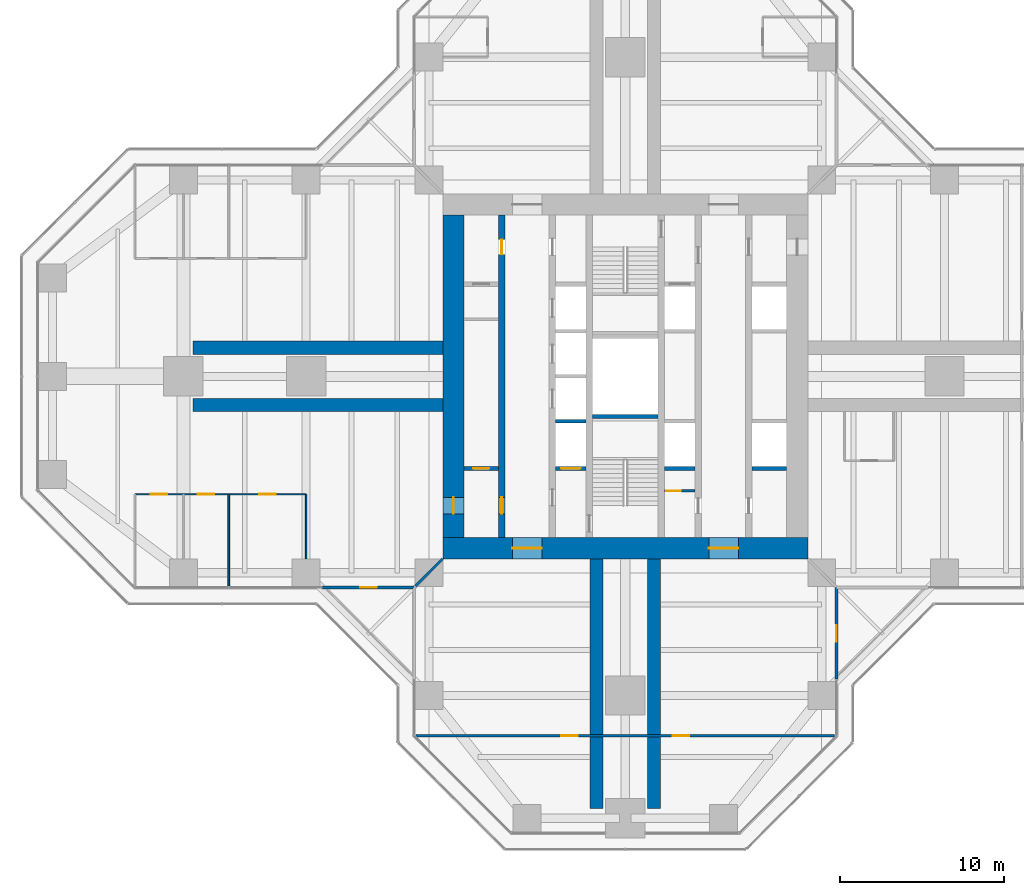
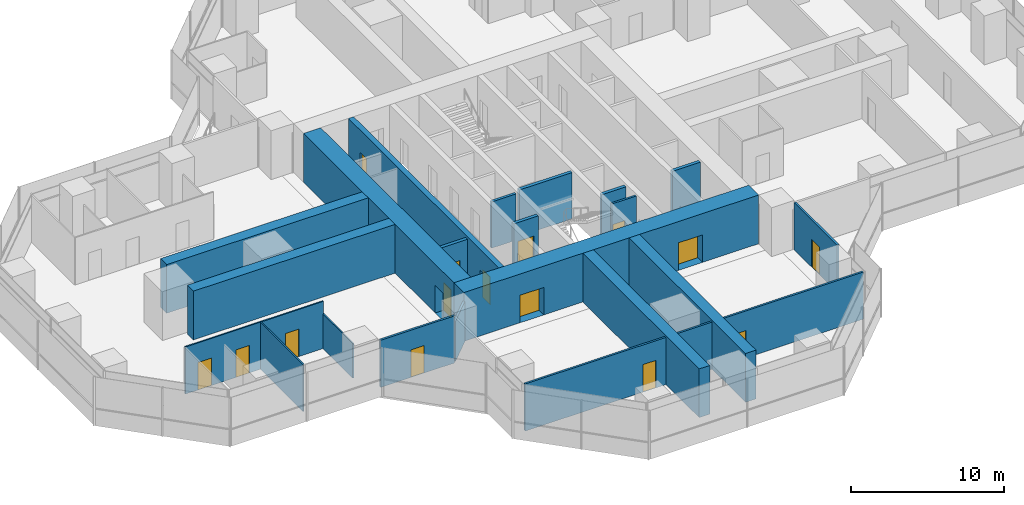
# One storey, part 15 of 20: 21 walls, 15 doors, 15 openings.
"""IFC4 building model written with IfcOpenShell, lengths in metres."""

from ifc_helpers import new_model, si_unit, direction, frame, frame_2d, origin, place, context, subcontext, project, spatial, rectangle, extrude, material, layer, layer_set, type_object, element, fill, save


model = new_model("IFC4")

# Units and contexts
model_context = context("Model", 3, precision=1e-05, world=origin(), true_north=direction((0.0, 1.0)))
body_context = subcontext(model_context, "Body", "Model", "MODEL_VIEW")
ifc_project = project(units=[si_unit("LENGTHUNIT", "METRE"), si_unit("AREAUNIT", "SQUARE_METRE"), si_unit("VOLUMEUNIT", "CUBIC_METRE"), si_unit("PLANEANGLEUNIT", "RADIAN"), si_unit("MASSUNIT", "GRAM", prefix="KILO")], contexts=[model_context])

# Site, building, storey
site_placement = place(None, origin())
site = spatial("IfcSite", under=ifc_project, at=site_placement, CompositionType="ELEMENT")
building_placement = place(site_placement, origin())
building = spatial("IfcBuilding", under=site, at=building_placement, Name="Mizan Broadcast Tower", CompositionType="ELEMENT")
storey_placement = place(building_placement, frame((0.0, 0.0, 174.89990234375)))
storey = spatial("IfcBuildingStorey", under=building, at=storey_placement, Name="L40", CompositionType="ELEMENT", Elevation=174.89990234375)

# Wall, openings, doors
ifc_material_1 = material(Name="Concrete C70/85", Category="concrete")
ifc_layer_1 = layer(ifc_material_1, 0.39990234375)
ifc_layer_set_1 = layer_set([ifc_layer_1], Name="Concrete C70/85")
wall_type_1 = type_object("IfcWallType", Name="CORE INTERNAL WALL 400", PredefinedType="SHEAR", material=ifc_layer_set_1)
wall_1_placement = place(storey_placement, frame((-7.550048828125, -9.85009765625, 0.0), z_axis=(0.0, 0.0, 1.0), x_axis=(0.0, 1.0, 0.0)))
wall_1 = element("IfcWall", 1, at=wall_1_placement, inside=storey, type_object=wall_type_1, Name="Core wall CORE/XW1", PredefinedType="SHEAR", context=body_context, shape_type="SweptSolid", body=[
    extrude(rectangle(XDim=19.7001953125, YDim=0.39990234375, at=frame_2d((9.85009765625, 0.0))), origin(), (0.0, 0.0, 1.0), 3.900146484375),
])
opening_1_placement = place(wall_1_placement, frame((1.449951171875, 0.0, 0.0)))
opening_1 = element("IfcOpeningElement", 2, at=opening_1_placement, cuts=wall_1, Name="Opening D10F", PredefinedType="OPENING", context=body_context, shape_type="SweptSolid", body=[
    extrude(rectangle(XDim=1.0, YDim=2.199951171875, at=frame_2d((0.5, 1.10009765625))), frame((0.0, 0.2099609375, 0.0), z_axis=(0.0, -1.0, 0.0), x_axis=(1.0, 0.0, 0.0)), (0.0, 0.0, 1.0), 0.419921875),
])
opening_2_placement = place(wall_1_placement, frame((17.300048828125, 0.0, 0.0)))
opening_2 = element("IfcOpeningElement", 3, at=opening_2_placement, cuts=wall_1, Name="Opening D09", PredefinedType="OPENING", context=body_context, shape_type="SweptSolid", body=[
    extrude(rectangle(XDim=0.89990234375, YDim=2.10009765625, at=frame_2d((0.449951171875, 1.050048828125))), frame((0.0, 0.2099609375, 0.0), z_axis=(0.0, -1.0, 0.0), x_axis=(1.0, 0.0, 0.0)), (0.0, 0.0, 1.0), 0.419921875),
])
ifc_material_2 = material(Name="Steel door leaf in steel frame", Category="steel")
door_type_1 = type_object("IfcDoorType", Name="FIRE DOOR 1000 FD90", OperationType="SINGLE_SWING_LEFT", PredefinedType="DOOR", material=ifc_material_2)
door_1_placement = place(opening_1_placement, origin())
door_1 = element("IfcDoor", 4, at=door_1_placement, inside=storey, type_object=door_type_1, Name="West core passage door", OperationType="SINGLE_SWING_LEFT", OverallHeight=2.199951171875, OverallWidth=1.0, PredefinedType="DOOR", context=body_context, shape_type="SweptSolid", body=[
    extrude(rectangle(XDim=1.0, YDim=2.199951171875, at=frame_2d((0.5, 1.10009765625))), frame((0.0, 0.02490234375, 0.0), z_axis=(0.0, -1.0, 0.0), x_axis=(1.0, 0.0, 0.0)), (0.0, 0.0, 1.0), 0.050048828125),
])
fill(opening_1, door_1)
ifc_material_3 = material(Name="Timber door leaf in aluminium frame", Category="wood")
door_type_2 = type_object("IfcDoorType", Name="TOILET DOOR 900", OperationType="SINGLE_SWING_LEFT", PredefinedType="DOOR", material=ifc_material_3)
door_2_placement = place(opening_2_placement, origin())
door_2 = element("IfcDoor", 5, at=door_2_placement, inside=storey, type_object=door_type_2, Name="Male WC door", OperationType="SINGLE_SWING_RIGHT", OverallHeight=2.10009765625, OverallWidth=0.89990234375, PredefinedType="DOOR", context=body_context, shape_type="SweptSolid", body=[
    extrude(rectangle(XDim=0.89990234375, YDim=2.10009765625, at=frame_2d((0.449951171875, 1.050048828125))), frame((0.0, 0.02490234375, 0.0), z_axis=(0.0, -1.0, 0.0), x_axis=(1.0, 0.0, 0.0)), (0.0, 0.0, 1.0), 0.050048828125),
])
fill(opening_2, door_2)

# Wall, opening, door
ifc_material_4 = material(Name="Concrete blockwork", Category="masonry")
ifc_layer_2 = layer(ifc_material_4, 0.14990234375)
ifc_layer_set_2 = layer_set([ifc_layer_2], Name="Concrete blockwork")
wall_type_2 = type_object("IfcWallType", Name="CORE PARTITION 150", PredefinedType="SOLIDWALL", material=ifc_layer_set_2)
wall_2_placement = place(storey_placement, frame((2.39990234375, -7.0, 0.0), z_axis=(0.0, 0.0, 1.0), x_axis=(1.0, 0.0, 0.0)))
wall_2 = element("IfcWall", 6, at=wall_2_placement, inside=storey, type_object=wall_type_2, Name="Core partition CORE/XPC", PredefinedType="SOLIDWALL", context=body_context, shape_type="SweptSolid", body=[
    extrude(rectangle(XDim=1.85009765625, YDim=0.14990234375, at=frame_2d((0.925048828125, 0.0))), origin(), (0.0, 0.0, 1.0), 3.77001953125),
])
opening_3_placement = place(wall_2_placement, frame((0.10009765625, 0.0, 0.0)))
opening_3 = element("IfcOpeningElement", 7, at=opening_3_placement, cuts=wall_2, Name="Opening D09F", PredefinedType="OPENING", context=body_context, shape_type="SweptSolid", body=[
    extrude(rectangle(XDim=0.89990234375, YDim=2.10009765625, at=frame_2d((0.449951171875, 1.050048828125))), frame((0.0, 0.0849609375, 0.0), z_axis=(0.0, -1.0, 0.0), x_axis=(1.0, 0.0, 0.0)), (0.0, 0.0, 1.0), 0.169921875),
])
ifc_material_5 = material(Name="Steel door leaf in steel frame", Category="steel")
door_type_3 = type_object("IfcDoorType", Name="CORE ROOM DOOR 900 FD90", OperationType="SINGLE_SWING_LEFT", PredefinedType="DOOR", material=ifc_material_5)
door_3_placement = place(opening_3_placement, origin())
door_3 = element("IfcDoor", 8, at=door_3_placement, inside=storey, type_object=door_type_3, Name="Waste store door", OperationType="SINGLE_SWING_LEFT", OverallHeight=2.10009765625, OverallWidth=0.89990234375, PredefinedType="DOOR", context=body_context, shape_type="SweptSolid", body=[
    extrude(rectangle(XDim=0.89990234375, YDim=2.10009765625, at=frame_2d((0.449951171875, 1.050048828125))), frame((0.0, 0.02490234375, 0.0), z_axis=(0.0, -1.0, 0.0), x_axis=(1.0, 0.0, 0.0)), (0.0, 0.0, 1.0), 0.050048828125),
])
fill(opening_3, door_3)

# Wall, openings, doors
ifc_material_6 = material(Name="Concrete C70/85", Category="concrete")
ifc_layer_3 = layer(ifc_material_6, 1.300048828125)
ifc_layer_set_3 = layer_set([ifc_layer_3], Name="Concrete C70/85")
wall_type_3 = type_object("IfcWallType", Name="CORE WALL 1300", PredefinedType="SHEAR", material=ifc_layer_set_3)
wall_3_placement = place(storey_placement, frame((11.14990234375, -10.5, 0.0), z_axis=(0.0, 0.0, 1.0), x_axis=(-1.0, 0.0, 0.0)))
wall_3 = element("IfcWall", 9, at=wall_3_placement, inside=storey, type_object=wall_type_3, Name="Core wall S L40", PredefinedType="SHEAR", context=body_context, shape_type="SweptSolid", body=[
    extrude(rectangle(XDim=22.2998046875, YDim=1.300048828125, at=frame_2d((11.14990234375, 0.0))), origin(), (0.0, 0.0, 1.0), 3.900146484375),
])
opening_4_placement = place(wall_3_placement, frame((16.25, 0.0, 0.0)))
opening_4 = element("IfcOpeningElement", 10, at=opening_4_placement, cuts=wall_3, Name="Opening D18F", PredefinedType="OPENING", context=body_context, shape_type="SweptSolid", body=[
    extrude(rectangle(XDim=1.800048828125, YDim=2.199951171875, at=frame_2d((0.89990234375, 1.10009765625))), frame((0.0, 0.659912109375, 0.0), z_axis=(0.0, -1.0, 0.0), x_axis=(1.0, 0.0, 0.0)), (0.0, 0.0, 1.0), 1.320068359375),
])
opening_5_placement = place(wall_3_placement, frame((4.25, 0.0, 0.0)))
opening_5 = element("IfcOpeningElement", 11, at=opening_5_placement, cuts=wall_3, Name="Opening D18F", PredefinedType="OPENING", context=body_context, shape_type="SweptSolid", body=[
    extrude(rectangle(XDim=1.800048828125, YDim=2.199951171875, at=frame_2d((0.89990234375, 1.10009765625))), frame((0.0, 0.659912109375, 0.0), z_axis=(0.0, -1.0, 0.0), x_axis=(1.0, 0.0, 0.0)), (0.0, 0.0, 1.0), 1.320068359375),
])
ifc_material_7 = material(Name="Steel door leaf in steel frame", Category="steel")
door_type_4 = type_object("IfcDoorType", Name="LOBBY DOUBLE DOOR 1800 FD90", OperationType="DOUBLE_DOOR_DOUBLE_SWING", PredefinedType="DOOR", material=ifc_material_7)
door_4_placement = place(opening_4_placement, origin())
door_4 = element("IfcDoor", 12, at=door_4_placement, inside=storey, type_object=door_type_4, Name="West lift lobby south door", OperationType="DOUBLE_DOOR_DOUBLE_SWING", OverallHeight=2.199951171875, OverallWidth=1.800048828125, PredefinedType="DOOR", context=body_context, shape_type="SweptSolid", body=[
    extrude(rectangle(XDim=1.800048828125, YDim=2.199951171875, at=frame_2d((0.89990234375, 1.10009765625))), frame((0.0, 0.02490234375, 0.0), z_axis=(0.0, -1.0, 0.0), x_axis=(1.0, 0.0, 0.0)), (0.0, 0.0, 1.0), 0.050048828125),
])
fill(opening_4, door_4)
door_5_placement = place(opening_5_placement, origin())
door_5 = element("IfcDoor", 13, at=door_5_placement, inside=storey, type_object=door_type_4, Name="East lift lobby south door", OperationType="DOUBLE_DOOR_DOUBLE_SWING", OverallHeight=2.199951171875, OverallWidth=1.800048828125, PredefinedType="DOOR", context=body_context, shape_type="SweptSolid", body=[
    extrude(rectangle(XDim=1.800048828125, YDim=2.199951171875, at=frame_2d((0.89990234375, 1.10009765625))), frame((0.0, 0.02490234375, 0.0), z_axis=(0.0, -1.0, 0.0), x_axis=(1.0, 0.0, 0.0)), (0.0, 0.0, 1.0), 0.050048828125),
])
fill(opening_5, door_5)

# Wall, opening, door
wall_4_placement = place(storey_placement, frame((-10.5, 9.85009765625, 0.0), z_axis=(0.0, 0.0, 1.0), x_axis=(0.0, -1.0, 0.0)))
wall_4 = element("IfcWall", 14, at=wall_4_placement, inside=storey, type_object=wall_type_3, Name="Core wall W L40", PredefinedType="SHEAR", context=body_context, shape_type="SweptSolid", body=[
    extrude(rectangle(XDim=19.7001953125, YDim=1.300048828125, at=frame_2d((9.85009765625, 0.0))), origin(), (0.0, 0.0, 1.0), 3.900146484375),
])
opening_6_placement = place(wall_4_placement, frame((17.25, 0.0, 0.0)))
opening_6 = element("IfcOpeningElement", 15, at=opening_6_placement, cuts=wall_4, Name="Opening D10F", PredefinedType="OPENING", context=body_context, shape_type="SweptSolid", body=[
    extrude(rectangle(XDim=1.0, YDim=2.199951171875, at=frame_2d((0.5, 1.10009765625))), frame((0.0, 0.659912109375, 0.0), z_axis=(0.0, -1.0, 0.0), x_axis=(1.0, 0.0, 0.0)), (0.0, 0.0, 1.0), 1.320068359375),
])
door_6_placement = place(opening_6_placement, origin())
door_6 = element("IfcDoor", 16, at=door_6_placement, inside=storey, type_object=door_type_1, Name="West core passage arm door", OperationType="SINGLE_SWING_RIGHT", OverallHeight=2.199951171875, OverallWidth=1.0, PredefinedType="DOOR", context=body_context, shape_type="SweptSolid", body=[
    extrude(rectangle(XDim=1.0, YDim=2.199951171875, at=frame_2d((0.5, 1.10009765625))), frame((0.0, 0.02490234375, 0.0), z_axis=(0.0, -1.0, 0.0), x_axis=(1.0, 0.0, 0.0)), (0.0, 0.0, 1.0), 0.050048828125),
])
fill(opening_6, door_6)

ifc_material_8 = material(Name="Aluminium framed glazed screen", Category="aluminium")
ifc_layer_4 = layer(ifc_material_8, 0.159912109375)
ifc_layer_set_4 = layer_set([ifc_layer_4], Name="Aluminium framed glazed screen")
wall_type_4 = type_object("IfcWallType", Name="GLAZED SCREEN WALL 160", PredefinedType="SOLIDWALL", material=ifc_layer_set_4)
wall_5_placement = place(storey_placement, frame((-18.5, -12.89990234375, 0.0), z_axis=(0.0, 0.0, 1.0), x_axis=(1.0, 0.0, 0.0)))
wall_5 = element("IfcWall", 17, at=wall_5_placement, inside=storey, type_object=wall_type_4, Name="Winter garden screen L40 W", PredefinedType="SOLIDWALL", context=body_context, shape_type="SweptSolid", body=[
    extrude(rectangle(XDim=5.60009765625, YDim=0.159912109375, at=frame_2d((2.800048828125, 0.0))), origin(), (0.0, 0.0, 1.0), 3.77001953125),
])
opening_7_placement = place(wall_5_placement, frame((2.300048828125, 0.0, 0.0)))
opening_7 = element("IfcOpeningElement", 18, at=opening_7_placement, cuts=wall_5, Name="Opening WGD", PredefinedType="OPENING", context=body_context, shape_type="SweptSolid", body=[
    extrude(rectangle(XDim=1.0, YDim=2.199951171875, at=frame_2d((0.5, 1.10009765625))), frame((0.0, 0.08984375, 0.0), z_axis=(0.0, -1.0, 0.0), x_axis=(1.0, 0.0, 0.0)), (0.0, 0.0, 1.0), 0.179931640625),
])
ifc_material_9 = material(Name="Aluminium framed glazed door", Category="aluminium")
door_type_5 = type_object("IfcDoorType", Name="WINTER GARDEN DOOR 1000 GLAZED", OperationType="SINGLE_SWING_LEFT", PredefinedType="DOOR", material=ifc_material_9)
door_7_placement = place(opening_7_placement, origin())
door_7 = element("IfcDoor", 19, at=door_7_placement, inside=storey, type_object=door_type_5, Name="Winter garden door L40 W", OperationType="SINGLE_SWING_RIGHT", OverallHeight=2.199951171875, OverallWidth=1.0, PredefinedType="DOOR", context=body_context, shape_type="SweptSolid", body=[
    extrude(rectangle(XDim=1.0, YDim=2.199951171875, at=frame_2d((0.5, 1.10009765625))), frame((0.0, 0.02490234375, 0.0), z_axis=(0.0, -1.0, 0.0), x_axis=(1.0, 0.0, 0.0)), (0.0, 0.0, 1.0), 0.050048828125),
])
fill(opening_7, door_7)

wall_6_placement = place(storey_placement, frame((12.89990234375, -18.5, 0.0), z_axis=(0.0, 0.0, 1.0), x_axis=(0.0, 1.0, 0.0)))
wall_6 = element("IfcWall", 20, at=wall_6_placement, inside=storey, type_object=wall_type_4, Name="Winter garden screen L40 S", PredefinedType="SOLIDWALL", context=body_context, shape_type="SweptSolid", body=[
    extrude(rectangle(XDim=5.60009765625, YDim=0.159912109375, at=frame_2d((2.800048828125, 0.0))), origin(), (0.0, 0.0, 1.0), 3.77001953125),
])
opening_8_placement = place(wall_6_placement, frame((2.300048828125, 0.0, 0.0)))
opening_8 = element("IfcOpeningElement", 21, at=opening_8_placement, cuts=wall_6, Name="Opening WGD", PredefinedType="OPENING", context=body_context, shape_type="SweptSolid", body=[
    extrude(rectangle(XDim=1.0, YDim=2.199951171875, at=frame_2d((0.5, 1.10009765625))), frame((0.0, 0.08984375, 0.0), z_axis=(0.0, -1.0, 0.0), x_axis=(1.0, 0.0, 0.0)), (0.0, 0.0, 1.0), 0.179931640625),
])
door_8_placement = place(opening_8_placement, origin())
door_8 = element("IfcDoor", 22, at=door_8_placement, inside=storey, type_object=door_type_5, Name="Winter garden door L40 S", OperationType="SINGLE_SWING_RIGHT", OverallHeight=2.199951171875, OverallWidth=1.0, PredefinedType="DOOR", context=body_context, shape_type="SweptSolid", body=[
    extrude(rectangle(XDim=1.0, YDim=2.199951171875, at=frame_2d((0.5, 1.10009765625))), frame((0.0, 0.02490234375, 0.0), z_axis=(0.0, -1.0, 0.0), x_axis=(1.0, 0.0, 0.0)), (0.0, 0.0, 1.0), 0.050048828125),
])
fill(opening_8, door_8)

# Wall
ifc_material_10 = material(Name="Concrete blockwork", Category="masonry")
ifc_layer_5 = layer(ifc_material_10, 0.199951171875)
ifc_layer_set_5 = layer_set([ifc_layer_5], Name="Concrete blockwork")
wall_type_5 = type_object("IfcWallType", Name="LIFT SHAFT WALL 200", PredefinedType="SOLIDWALL", material=ifc_layer_set_5)
wall_7_placement = place(storey_placement, frame((-4.25, -2.75, 0.0), z_axis=(0.0, 0.0, 1.0), x_axis=(1.0, 0.0, 0.0)))
element("IfcWall", 23, at=wall_7_placement, inside=storey, type_object=wall_type_5, Name="Lift shaft wall CORE/SW2-1", PredefinedType="SOLIDWALL", context=body_context, shape_type="SweptSolid", body=[
    extrude(rectangle(XDim=1.85009765625, YDim=0.199951171875, at=frame_2d((0.925048828125, 0.0))), origin(), (0.0, 0.0, 1.0), 3.7001953125),
])

# Wall, opening, door
ifc_material_11 = material(Name="Concrete blockwork", Category="masonry")
ifc_layer_6 = layer(ifc_material_11, 0.25)
ifc_layer_set_6 = layer_set([ifc_layer_6], Name="Concrete blockwork")
wall_type_6 = type_object("IfcWallType", Name="LOBBY ENCLOSURE WALL 250", PredefinedType="SOLIDWALL", material=ifc_layer_set_6)
wall_8_placement = place(storey_placement, frame((-9.85009765625, -5.625, 0.0), z_axis=(0.0, 0.0, 1.0), x_axis=(1.0, 0.0, 0.0)))
wall_8 = element("IfcWall", 24, at=wall_8_placement, inside=storey, type_object=wall_type_6, Name="Lobby enclosure wall CORE/BW1S", PredefinedType="SOLIDWALL", context=body_context, shape_type="SweptSolid", body=[
    extrude(rectangle(XDim=2.10009765625, YDim=0.25, at=frame_2d((1.050048828125, 0.0))), origin(), (0.0, 0.0, 1.0), 3.7001953125),
])
opening_9_placement = place(wall_8_placement, frame((0.550048828125, 0.0, 0.0)))
opening_9 = element("IfcOpeningElement", 25, at=opening_9_placement, cuts=wall_8, Name="Opening D10F", PredefinedType="OPENING", context=body_context, shape_type="SweptSolid", body=[
    extrude(rectangle(XDim=1.0, YDim=2.199951171875, at=frame_2d((0.5, 1.10009765625))), frame((0.0, 0.135009765625, 0.0), z_axis=(0.0, -1.0, 0.0), x_axis=(1.0, 0.0, 0.0)), (0.0, 0.0, 1.0), 0.27001953125),
])
door_9_placement = place(opening_9_placement, origin())
door_9 = element("IfcDoor", 26, at=door_9_placement, inside=storey, type_object=door_type_1, Name="Staff pantry door", OperationType="SINGLE_SWING_RIGHT", OverallHeight=2.199951171875, OverallWidth=1.0, PredefinedType="DOOR", context=body_context, shape_type="SweptSolid", body=[
    extrude(rectangle(XDim=1.0, YDim=2.199951171875, at=frame_2d((0.5, 1.10009765625))), frame((0.0, 0.02490234375, 0.0), z_axis=(0.0, -1.0, 0.0), x_axis=(1.0, 0.0, 0.0)), (0.0, 0.0, 1.0), 0.050048828125),
])
fill(opening_9, door_9)

wall_9_placement = place(storey_placement, frame((-4.25, -5.625, 0.0), z_axis=(0.0, 0.0, 1.0), x_axis=(1.0, 0.0, 0.0)))
wall_9 = element("IfcWall", 27, at=wall_9_placement, inside=storey, type_object=wall_type_6, Name="Lobby enclosure wall CORE/BW2S", PredefinedType="SOLIDWALL", context=body_context, shape_type="SweptSolid", body=[
    extrude(rectangle(XDim=1.85009765625, YDim=0.25, at=frame_2d((0.925048828125, 0.0))), origin(), (0.0, 0.0, 1.0), 3.7001953125),
])
opening_10_placement = place(wall_9_placement, frame((0.324951171875, 0.0, 0.0)))
opening_10 = element("IfcOpeningElement", 28, at=opening_10_placement, cuts=wall_9, Name="Opening LDF", PredefinedType="OPENING", context=body_context, shape_type="SweptSolid", body=[
    extrude(rectangle(XDim=1.199951171875, YDim=2.199951171875, at=frame_2d((0.60009765625, 1.10009765625))), frame((0.0, 0.135009765625, 0.0), z_axis=(0.0, -1.0, 0.0), x_axis=(1.0, 0.0, 0.0)), (0.0, 0.0, 1.0), 0.27001953125),
])
ifc_material_12 = material(Name="Steel door leaf in steel frame", Category="steel")
door_type_6 = type_object("IfcDoorType", Name="FIREFIGHTING LIFT LANDING DOOR 1200", OperationType="SLIDING_TO_LEFT", PredefinedType="DOOR", material=ifc_material_12)
door_10_placement = place(opening_10_placement, origin())
door_10 = element("IfcDoor", 29, at=door_10_placement, inside=storey, type_object=door_type_6, Name="Landing door FF1", OperationType="SLIDING_TO_LEFT", OverallHeight=2.199951171875, OverallWidth=1.199951171875, PredefinedType="DOOR", context=body_context, shape_type="SweptSolid", body=[
    extrude(rectangle(XDim=1.199951171875, YDim=2.199951171875, at=frame_2d((0.60009765625, 1.10009765625))), frame((0.0, 0.02490234375, 0.0), z_axis=(0.0, -1.0, 0.0), x_axis=(1.0, 0.0, 0.0)), (0.0, 0.0, 1.0), 0.050048828125),
])
fill(opening_10, door_10)

# Walls
wall_10_placement = place(storey_placement, frame((2.39990234375, -5.625, 0.0), z_axis=(0.0, 0.0, 1.0), x_axis=(1.0, 0.0, 0.0)))
element("IfcWall", 30, at=wall_10_placement, inside=storey, type_object=wall_type_6, Name="Lobby enclosure wall CORE/BE2S", PredefinedType="SOLIDWALL", context=body_context, shape_type="SweptSolid", body=[
    extrude(rectangle(XDim=1.85009765625, YDim=0.25, at=frame_2d((0.925048828125, 0.0))), origin(), (0.0, 0.0, 1.0), 3.7001953125),
])
wall_11_placement = place(storey_placement, frame((7.75, -5.625, 0.0), z_axis=(0.0, 0.0, 1.0), x_axis=(1.0, 0.0, 0.0)))
element("IfcWall", 31, at=wall_11_placement, inside=storey, type_object=wall_type_6, Name="Lobby enclosure wall CORE/BE1S", PredefinedType="SOLIDWALL", context=body_context, shape_type="SweptSolid", body=[
    extrude(rectangle(XDim=2.10009765625, YDim=0.25, at=frame_2d((1.050048828125, 0.0))), origin(), (0.0, 0.0, 1.0), 3.7001953125),
])
wall_12_placement = place(storey_placement, frame((-2.0, -2.449951171875, 0.0), z_axis=(0.0, 0.0, 1.0), x_axis=(1.0, 0.0, 0.0)))
element("IfcWall", 32, at=wall_12_placement, inside=storey, type_object=wall_type_6, Name="Lobby enclosure wall CORE/STA", PredefinedType="SOLIDWALL", context=body_context, shape_type="SweptSolid", body=[
    extrude(rectangle(XDim=4.0, YDim=0.25, at=frame_2d((2.0, 0.0))), origin(), (0.0, 0.0, 1.0), 3.7001953125),
])

# Wall, openings, doors
ifc_material_13 = material(Name="Gypsum board on steel studs", Category="steel")
ifc_layer_7 = layer(ifc_material_13, 0.14990234375)
ifc_layer_set_7 = layer_set([ifc_layer_7], Name="Gypsum board on steel studs")
wall_type_7 = type_object("IfcWallType", Name="PARTITION 150", PredefinedType="PARTITIONING", material=ifc_layer_set_7)
wall_13_placement = place(storey_placement, frame((-12.786376953125, -21.958984375, 0.0), z_axis=(0.0, 0.0, 1.0), x_axis=(1.0, 0.0, 0.0)))
wall_13 = element("IfcWall", 33, at=wall_13_placement, inside=storey, type_object=wall_type_7, Name="Partition PT/SX1", PredefinedType="PARTITIONING", context=body_context, shape_type="SweptSolid", body=[
    extrude(rectangle(XDim=25.57275390625, YDim=0.14990234375, at=frame_2d((12.786376953125, 0.0))), origin(), (0.0, 0.0, 1.0), 3.77001953125),
])
opening_11_placement = place(wall_13_placement, frame((15.6865234375, 0.0, 0.0)))
opening_11 = element("IfcOpeningElement", 34, at=opening_11_placement, cuts=wall_13, Name="Opening D10", PredefinedType="OPENING", context=body_context, shape_type="SweptSolid", body=[
    extrude(rectangle(XDim=1.0, YDim=2.199951171875, at=frame_2d((0.5, 1.10009765625))), frame((0.0, 0.0849609375, 0.0), z_axis=(0.0, -1.0, 0.0), x_axis=(1.0, 0.0, 0.0)), (0.0, 0.0, 1.0), 0.169921875),
])
opening_12_placement = place(wall_13_placement, frame((8.886474609375, 0.0, 0.0)))
opening_12 = element("IfcOpeningElement", 35, at=opening_12_placement, cuts=wall_13, Name="Opening D10", PredefinedType="OPENING", context=body_context, shape_type="SweptSolid", body=[
    extrude(rectangle(XDim=1.0, YDim=2.199951171875, at=frame_2d((0.5, 1.10009765625))), frame((0.0, 0.0849609375, 0.0), z_axis=(0.0, -1.0, 0.0), x_axis=(1.0, 0.0, 0.0)), (0.0, 0.0, 1.0), 0.169921875),
])
ifc_material_14 = material(Name="Timber door leaf in aluminium frame", Category="wood")
door_type_7 = type_object("IfcDoorType", Name="ROOM DOOR 1000", OperationType="SINGLE_SWING_LEFT", PredefinedType="DOOR", material=ifc_material_14)
door_11_placement = place(opening_11_placement, origin())
door_11 = element("IfcDoor", 36, at=door_11_placement, inside=storey, type_object=door_type_7, Name="Director's office door", OperationType="SINGLE_SWING_RIGHT", OverallHeight=2.199951171875, OverallWidth=1.0, PredefinedType="DOOR", context=body_context, shape_type="SweptSolid", body=[
    extrude(rectangle(XDim=1.0, YDim=2.199951171875, at=frame_2d((0.5, 1.10009765625))), frame((0.0, 0.02490234375, 0.0), z_axis=(0.0, -1.0, 0.0), x_axis=(1.0, 0.0, 0.0)), (0.0, 0.0, 1.0), 0.050048828125),
])
fill(opening_11, door_11)
door_12_placement = place(opening_12_placement, origin())
door_12 = element("IfcDoor", 37, at=door_12_placement, inside=storey, type_object=door_type_7, Name="Director's office door", OperationType="SINGLE_SWING_LEFT", OverallHeight=2.199951171875, OverallWidth=1.0, PredefinedType="DOOR", context=body_context, shape_type="SweptSolid", body=[
    extrude(rectangle(XDim=1.0, YDim=2.199951171875, at=frame_2d((0.5, 1.10009765625))), frame((0.0, 0.02490234375, 0.0), z_axis=(0.0, -1.0, 0.0), x_axis=(1.0, 0.0, 0.0)), (0.0, 0.0, 1.0), 0.050048828125),
])
fill(opening_12, door_12)

# Wall
wall_14_placement = place(storey_placement, frame((-11.14990234375, -11.14990234375, 0.0), z_axis=(0.0, 0.0, 1.0), x_axis=(-0.707106781187, -0.707106781187, 0.0)))
element("IfcWall", 38, at=wall_14_placement, inside=storey, type_object=wall_type_7, Name="Partition PT/DGWS", PredefinedType="PARTITIONING", context=body_context, shape_type="SweptSolid", body=[
    extrude(rectangle(XDim=2.362060546875, YDim=0.14990234375, at=frame_2d((1.18115234375, 0.0))), origin(), (0.0, 0.0, 1.0), 3.22021484375),
])

# Wall, openings, doors
ifc_material_15 = material(Name="Glazed aluminium partition on aluminium track", Category="aluminium")
ifc_layer_8 = layer(ifc_material_15, 0.10009765625)
ifc_layer_set_8 = layer_set([ifc_layer_8], Name="Glazed aluminium partition on aluminium track")
wall_type_8 = type_object("IfcWallType", Name="PARTITION GLAZED OFFICE FRONT 100", PredefinedType="PARTITIONING", material=ifc_layer_set_8)
wall_15_placement = place(storey_placement, frame((-19.5, -7.199951171875, 0.0), z_axis=(0.0, 0.0, 1.0), x_axis=(-1.0, 0.0, 0.0)))
wall_15 = element("IfcWall", 39, at=wall_15_placement, inside=storey, type_object=wall_type_8, Name="Glazed office front PT/WCP0", PredefinedType="PARTITIONING", context=body_context, shape_type="SweptSolid", body=[
    extrude(rectangle(XDim=10.458984375, YDim=0.10009765625, at=frame_2d((5.2294921875, 0.0))), origin(), (0.0, 0.0, 1.0), 3.77001953125),
])
opening_13_placement = place(wall_15_placement, frame((1.864501953125, 0.0, 0.0)))
opening_13 = element("IfcOpeningElement", 40, at=opening_13_placement, cuts=wall_15, Name="Opening D10O", PredefinedType="OPENING", context=body_context, shape_type="SweptSolid", body=[
    extrude(rectangle(XDim=1.0, YDim=2.199951171875, at=frame_2d((0.5, 1.10009765625))), frame((0.0, 0.06005859375, 0.0), z_axis=(0.0, -1.0, 0.0), x_axis=(1.0, 0.0, 0.0)), (0.0, 0.0, 1.0), 0.1201171875),
])
opening_14_placement = place(wall_15_placement, frame((5.614501953125, 0.0, 0.0)))
opening_14 = element("IfcOpeningElement", 41, at=opening_14_placement, cuts=wall_15, Name="Opening D10O", PredefinedType="OPENING", context=body_context, shape_type="SweptSolid", body=[
    extrude(rectangle(XDim=1.0, YDim=2.199951171875, at=frame_2d((0.5, 1.10009765625))), frame((0.0, 0.06005859375, 0.0), z_axis=(0.0, -1.0, 0.0), x_axis=(1.0, 0.0, 0.0)), (0.0, 0.0, 1.0), 0.1201171875),
])
opening_15_placement = place(wall_15_placement, frame((8.4794921875, 0.0, 0.0)))
opening_15 = element("IfcOpeningElement", 42, at=opening_15_placement, cuts=wall_15, Name="Opening D10O", PredefinedType="OPENING", context=body_context, shape_type="SweptSolid", body=[
    extrude(rectangle(XDim=1.0, YDim=2.199951171875, at=frame_2d((0.5, 1.10009765625))), frame((0.0, 0.06005859375, 0.0), z_axis=(0.0, -1.0, 0.0), x_axis=(1.0, 0.0, 0.0)), (0.0, 0.0, 1.0), 0.1201171875),
])
ifc_material_16 = material(Name="Timber door leaf in aluminium frame", Category="wood")
door_type_8 = type_object("IfcDoorType", Name="OFFICE DOOR 1000 GLAZED", OperationType="SINGLE_SWING_LEFT", PredefinedType="DOOR", material=ifc_material_16)
door_13_placement = place(opening_13_placement, origin())
door_13 = element("IfcDoor", 43, at=door_13_placement, inside=storey, type_object=door_type_8, Name="Meeting room door", OperationType="SINGLE_SWING_LEFT", OverallHeight=2.199951171875, OverallWidth=1.0, PredefinedType="DOOR", context=body_context, shape_type="SweptSolid", body=[
    extrude(rectangle(XDim=1.0, YDim=2.199951171875, at=frame_2d((0.5, 1.10009765625))), frame((0.0, 0.02490234375, 0.0), z_axis=(0.0, -1.0, 0.0), x_axis=(1.0, 0.0, 0.0)), (0.0, 0.0, 1.0), 0.050048828125),
])
fill(opening_13, door_13)
door_14_placement = place(opening_14_placement, origin())
door_14 = element("IfcDoor", 44, at=door_14_placement, inside=storey, type_object=door_type_8, Name="Meeting room door", OperationType="SINGLE_SWING_RIGHT", OverallHeight=2.199951171875, OverallWidth=1.0, PredefinedType="DOOR", context=body_context, shape_type="SweptSolid", body=[
    extrude(rectangle(XDim=1.0, YDim=2.199951171875, at=frame_2d((0.5, 1.10009765625))), frame((0.0, 0.02490234375, 0.0), z_axis=(0.0, -1.0, 0.0), x_axis=(1.0, 0.0, 0.0)), (0.0, 0.0, 1.0), 0.050048828125),
])
fill(opening_14, door_14)
door_15_placement = place(opening_15_placement, origin())
door_15 = element("IfcDoor", 45, at=door_15_placement, inside=storey, type_object=door_type_8, Name="Meeting room door", OperationType="SINGLE_SWING_RIGHT", OverallHeight=2.199951171875, OverallWidth=1.0, PredefinedType="DOOR", context=body_context, shape_type="SweptSolid", body=[
    extrude(rectangle(XDim=1.0, YDim=2.199951171875, at=frame_2d((0.5, 1.10009765625))), frame((0.0, 0.02490234375, 0.0), z_axis=(0.0, -1.0, 0.0), x_axis=(1.0, 0.0, 0.0)), (0.0, 0.0, 1.0), 0.050048828125),
])
fill(opening_15, door_15)

# Walls
wall_16_placement = place(storey_placement, frame((-19.5, -7.199951171875, 0.0), z_axis=(0.0, 0.0, 1.0), x_axis=(0.0, -1.0, 0.0)))
element("IfcWall", 46, at=wall_16_placement, inside=storey, type_object=wall_type_8, Name="Glazed office front PT/WQP1950", PredefinedType="PARTITIONING", context=body_context, shape_type="SweptSolid", body=[
    extrude(rectangle(XDim=3.949951171875, YDim=0.10009765625, at=frame_2d((1.97509765625, 0.0))), origin(), (0.0, 0.0, 1.0), 2.77001953125),
])
wall_17_placement = place(storey_placement, frame((-24.22900390625, -7.199951171875, 0.0), z_axis=(0.0, 0.0, 1.0), x_axis=(0.0, -1.0, 0.0)))
element("IfcWall", 47, at=wall_17_placement, inside=storey, type_object=wall_type_8, Name="Glazed office front PT/WQP2423", PredefinedType="PARTITIONING", context=body_context, shape_type="SweptSolid", body=[
    extrude(rectangle(XDim=5.6201171875, YDim=0.10009765625, at=frame_2d((2.81005859375, 0.0))), origin(), (0.0, 0.0, 1.0), 3.77001953125),
])
ifc_material_17 = material(Name="Concrete C70/85", Category="concrete")
ifc_layer_9 = layer(ifc_material_17, 0.800048828125)
ifc_layer_set_9 = layer_set([ifc_layer_9], Name="Concrete C70/85")
wall_type_9 = type_object("IfcWallType", Name="SPINE WALL 800", PredefinedType="SHEAR", material=ifc_layer_set_9)
for number, where, z_axis, x_axis, name in (
    (48, (-11.14990234375, 1.75, 0.0), (0.0, 0.0, 1.0), (-1.0, 0.0, 0.0), "Spine wall WR L40"),
    (49, (-11.14990234375, -1.75, 0.0), (0.0, 0.0, 1.0), (-1.0, 0.0, 0.0), "Spine wall WL L40"),
    (50, (-1.75, -11.14990234375, 0.0), (0.0, 0.0, 1.0), (0.0, -1.0, 0.0), "Spine wall SR L40"),
    (51, (1.75, -11.14990234375, 0.0), (0.0, 0.0, 1.0), (0.0, -1.0, 0.0), "Spine wall SL L40"),
):
    element("IfcWall", number, at=place(storey_placement, frame(where, z_axis=z_axis, x_axis=x_axis)), inside=storey, type_object=wall_type_9, Name=name, PredefinedType="SHEAR", context=body_context, shape_type="SweptSolid", body=[
        extrude(rectangle(XDim=15.25, YDim=0.800048828125, at=frame_2d((7.625, 0.0))), origin(), (0.0, 0.0, 1.0), 3.900146484375),
    ])

save(model, "model.ifc")
